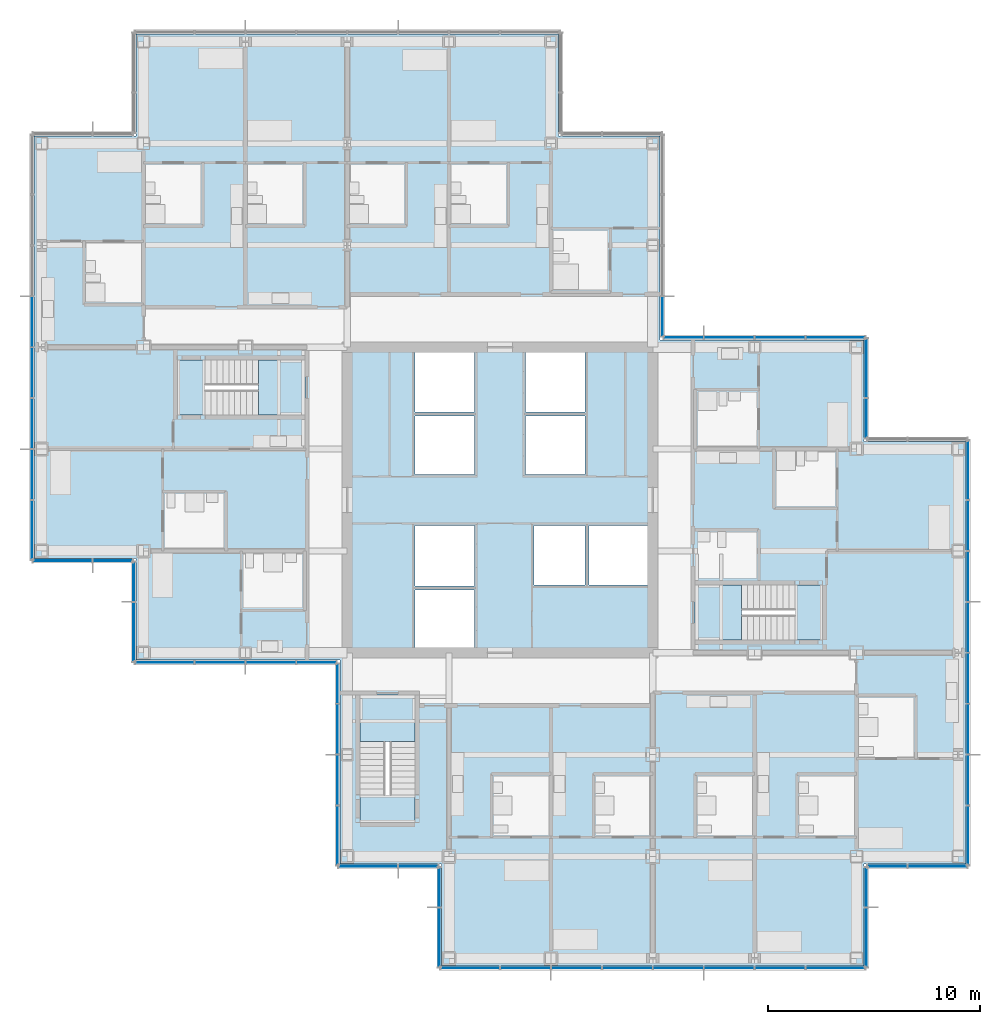
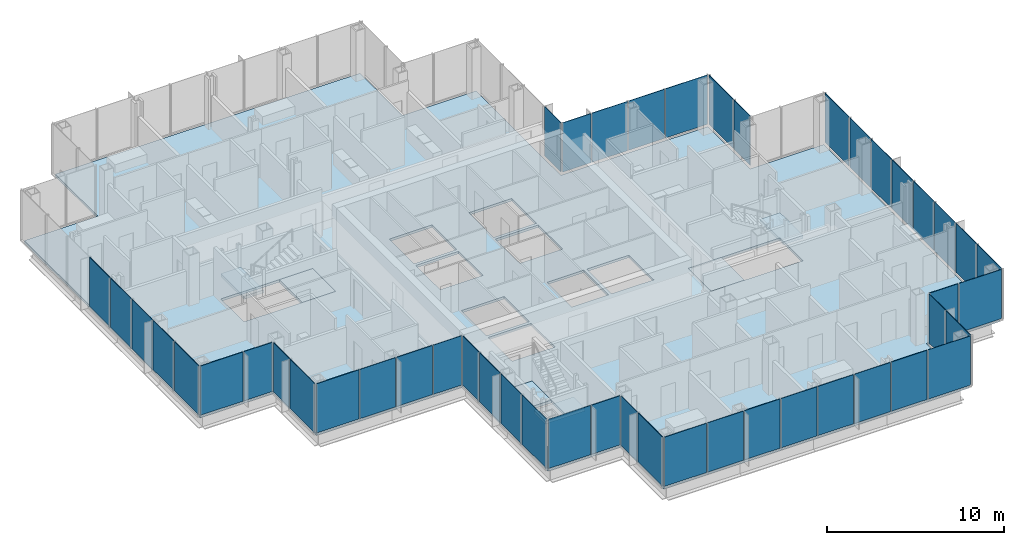
# One storey, part 11 of 19: 48 plates, 7 slabs, 17 elements without a shape of their own.
"""IFC4 building model written with IfcOpenShell, lengths in metres."""

from ifc_helpers import new_model, si_unit, direction, frame, origin, origin_2d, place, context, subcontext, project, spatial, polyline, rectangle, outline, extrude, material, layer, layer_set, type_object, element, aggregate, save


model = new_model("IFC4")

# Units and contexts
model_context = context("Model", 3, precision=1e-05, world=origin(), true_north=direction((0.0, 1.0)))
body_context = subcontext(model_context, "Body", "Model", "MODEL_VIEW")
ifc_project = project(units=[si_unit("LENGTHUNIT", "METRE"), si_unit("AREAUNIT", "SQUARE_METRE"), si_unit("VOLUMEUNIT", "CUBIC_METRE"), si_unit("PLANEANGLEUNIT", "RADIAN"), si_unit("MASSUNIT", "GRAM", prefix="KILO")], contexts=[model_context])

# Site, building, storey
site_placement = place(None, origin())
site = spatial("IfcSite", under=ifc_project, at=site_placement, CompositionType="ELEMENT")
building_placement = place(site_placement, origin())
building = spatial("IfcBuilding", under=site, at=building_placement, Name="Kvirike Care Tower", CompositionType="ELEMENT")
storey_placement = place(building_placement, frame((0.0, 0.0, 87.5)))
storey = spatial("IfcBuildingStorey", under=building, at=storey_placement, Name="L23", CompositionType="ELEMENT", Elevation=87.5)

# Slab
ifc_material_1 = material(Name="Concrete C35/45", Category="concrete")
ifc_layer_1 = layer(ifc_material_1, 0.169921875)
ifc_layer_set_1 = layer_set([ifc_layer_1], Name="FLOOR SLAB 170")
slab_type_1 = type_object("IfcSlabType", Name="FLOOR SLAB 170", PredefinedType="FLOOR", material=ifc_layer_set_1)
slab_1_placement = place(storey_placement, frame((0.0, 0.0, -0.169921875)))
element("IfcSlab", 1, at=slab_1_placement, inside=storey, type_object=slab_type_1, Name="Floor slab L23", PredefinedType="FLOOR", context=body_context, shape_type="SweptSolid", body=[
    extrude(outline(polyline([(43.550048828125, 18.85009765625), (43.550048828125, 38.75), (38.75, 38.75), (38.75, 43.550048828125), (29.14990234375, 43.550048828125), (29.14990234375, 53.14990234375), (24.35009765625, 53.14990234375), (24.35009765625, 57.949951171875), (4.449951171875, 57.949951171875), (4.449951171875, 53.14990234375), (-0.35009765625, 53.14990234375), (-0.35009765625, 33.25), (4.449951171875, 33.25), (4.449951171875, 28.449951171875), (14.050048828125, 28.449951171875), (14.050048828125, 18.85009765625), (18.85009765625, 18.85009765625), (18.85009765625, 14.050048828125), (38.75, 14.050048828125), (38.75, 18.85009765625), (43.550048828125, 18.85009765625)]), holes=[polyline([(17.60009765625, 29.050048828125), (17.60009765625, 31.75), (20.39990234375, 31.75), (20.39990234375, 29.050048828125), (17.60009765625, 29.050048828125)]), polyline([(17.60009765625, 31.949951171875), (17.60009765625, 34.800048828125), (20.39990234375, 34.800048828125), (20.39990234375, 31.949951171875), (17.60009765625, 31.949951171875)]), polyline([(17.60009765625, 37.199951171875), (17.60009765625, 39.949951171875), (20.39990234375, 39.949951171875), (20.39990234375, 37.199951171875), (17.60009765625, 37.199951171875)]), polyline([(17.60009765625, 40.14990234375), (17.60009765625, 42.949951171875), (20.39990234375, 42.949951171875), (20.39990234375, 40.14990234375), (17.60009765625, 40.14990234375)]), polyline([(22.800048828125, 37.199951171875), (22.800048828125, 39.949951171875), (25.60009765625, 39.949951171875), (25.60009765625, 37.199951171875), (22.800048828125, 37.199951171875)]), polyline([(22.800048828125, 40.14990234375), (22.800048828125, 42.949951171875), (25.60009765625, 42.949951171875), (25.60009765625, 40.14990234375), (22.800048828125, 40.14990234375)]), polyline([(23.199951171875, 32.0), (23.199951171875, 34.800048828125), (25.60009765625, 34.800048828125), (25.60009765625, 32.0), (23.199951171875, 32.0)]), polyline([(25.800048828125, 32.0), (25.800048828125, 34.800048828125), (28.550048828125, 34.800048828125), (28.550048828125, 32.0), (25.800048828125, 32.0)]), polyline([(12.39990234375, 42.60009765625), (12.39990234375, 40.0), (6.39990234375, 40.0), (6.39990234375, 42.60009765625), (12.39990234375, 42.60009765625)]), polyline([(30.800048828125, 29.39990234375), (30.800048828125, 32.0), (36.800048828125, 32.0), (36.800048828125, 29.39990234375), (30.800048828125, 29.39990234375)]), polyline([(15.0, 26.800048828125), (17.60009765625, 26.800048828125), (17.60009765625, 20.800048828125), (15.0, 20.800048828125), (15.0, 26.800048828125)])]), origin(), (0.0, 0.0, 1.0), 0.169921875),
])

# Stair, slabs
ifc_material_2 = material(Name="Concrete C35/45", Category="concrete")
stair_type = type_object("IfcStairType", Name="STAIR 20 RISERS", PredefinedType="HALF_TURN_STAIR", material=ifc_material_2)
stair_1_placement = place(storey_placement, origin())
stair_1 = element("IfcStair", 2, at=stair_1_placement, inside=storey, type_object=stair_type, Name="Stair 1 L23", PredefinedType="HALF_TURN_STAIR")
ifc_material_3 = material(Name="Concrete C35/45", Category="concrete")
ifc_layer_2 = layer(ifc_material_3, 0.199951171875)
ifc_layer_set_2 = layer_set([ifc_layer_2], Name="STAIR LANDING 200")
slab_type_2 = type_object("IfcSlabType", Name="STAIR LANDING 200", PredefinedType="LANDING", material=ifc_layer_set_2)
slab_2_placement = place(storey_placement, frame((0.0, 0.0, -0.199951171875)))
slab_2 = element("IfcSlab", 3, at=slab_2_placement, type_object=slab_type_2, Name="Stair S1 floor landing L23", PredefinedType="LANDING", context=body_context, shape_type="SweptSolid", body=[
    extrude(outline(polyline([(10.219970703125, 42.60009765625), (10.219970703125, 40.0), (12.39990234375, 40.0), (12.39990234375, 42.60009765625), (10.219970703125, 42.60009765625)])), origin(), (0.0, 0.0, 1.0), 0.199951171875),
])
slab_3_placement = place(storey_placement, frame((0.0, 0.0, 1.550048828125)))
slab_3 = element("IfcSlab", 4, at=slab_3_placement, type_object=slab_type_2, Name="Stair S1 half landing L23-L24", PredefinedType="LANDING", context=body_context, shape_type="SweptSolid", body=[
    extrude(outline(polyline([(6.39990234375, 42.60009765625), (6.39990234375, 40.0), (7.699951171875, 40.0), (7.699951171875, 42.60009765625), (6.39990234375, 42.60009765625)])), origin(), (0.0, 0.0, 1.0), 0.199951171875),
])
aggregate(stair_1, [slab_2, slab_3])

stair_2_placement = place(storey_placement, origin())
stair_2 = element("IfcStair", 5, at=stair_2_placement, inside=storey, type_object=stair_type, Name="Stair 2 L23", PredefinedType="HALF_TURN_STAIR")
slab_4_placement = place(storey_placement, frame((0.0, 0.0, -0.199951171875)))
slab_4 = element("IfcSlab", 6, at=slab_4_placement, type_object=slab_type_2, Name="Stair S2 floor landing L23", PredefinedType="LANDING", context=body_context, shape_type="SweptSolid", body=[
    extrude(outline(polyline([(32.97998046875, 29.39990234375), (32.97998046875, 32.0), (30.800048828125, 32.0), (30.800048828125, 29.39990234375), (32.97998046875, 29.39990234375)])), origin(), (0.0, 0.0, 1.0), 0.199951171875),
])
slab_5_placement = place(storey_placement, frame((0.0, 0.0, 1.550048828125)))
slab_5 = element("IfcSlab", 7, at=slab_5_placement, type_object=slab_type_2, Name="Stair S2 half landing L23-L24", PredefinedType="LANDING", context=body_context, shape_type="SweptSolid", body=[
    extrude(outline(polyline([(36.800048828125, 29.39990234375), (36.800048828125, 32.0), (35.5, 32.0), (35.5, 29.39990234375), (36.800048828125, 29.39990234375)])), origin(), (0.0, 0.0, 1.0), 0.199951171875),
])
aggregate(stair_2, [slab_4, slab_5])

stair_3_placement = place(storey_placement, origin())
stair_3 = element("IfcStair", 8, at=stair_3_placement, inside=storey, type_object=stair_type, Name="Stair 5 L23", PredefinedType="HALF_TURN_STAIR")
slab_6_placement = place(storey_placement, frame((0.0, 0.0, -0.199951171875)))
slab_6 = element("IfcSlab", 9, at=slab_6_placement, type_object=slab_type_2, Name="Stair S5 floor landing L23", PredefinedType="LANDING", context=body_context, shape_type="SweptSolid", body=[
    extrude(outline(polyline([(15.0, 24.6201171875), (17.60009765625, 24.6201171875), (17.60009765625, 26.800048828125), (15.0, 26.800048828125), (15.0, 24.6201171875)])), origin(), (0.0, 0.0, 1.0), 0.199951171875),
])
slab_7_placement = place(storey_placement, frame((0.0, 0.0, 1.550048828125)))
slab_7 = element("IfcSlab", 10, at=slab_7_placement, type_object=slab_type_2, Name="Stair S5 half landing L23-L24", PredefinedType="LANDING", context=body_context, shape_type="SweptSolid", body=[
    extrude(outline(polyline([(15.0, 20.800048828125), (17.60009765625, 20.800048828125), (17.60009765625, 22.10009765625), (15.0, 22.10009765625), (15.0, 20.800048828125)])), origin(), (0.0, 0.0, 1.0), 0.199951171875),
])
aggregate(stair_3, [slab_6, slab_7])

# Curtain wall, plates
ifc_material_4 = material(Name="Anodised aluminium stick system", Category="aluminium")
curtain_wall_type = type_object("IfcCurtainWallType", Name="CW-B STICK CURTAIN WALL", PredefinedType="NOTDEFINED", material=ifc_material_4)
curtain_wall_1_placement = place(storey_placement, origin())
curtain_wall_1 = element("IfcCurtainWall", 11, at=curtain_wall_1_placement, inside=storey, type_object=curtain_wall_type, Name="Curtain wall L23 face 1", PredefinedType="NOTDEFINED")
ifc_material_5 = material(Name="Tinted double glazed unit", Category="glass")
ifc_layer_3 = layer(ifc_material_5, 0.035888671875)
ifc_layer_set_3 = layer_set([ifc_layer_3], Name="TINTED VISION PANEL 36")
plate_type = type_object("IfcPlateType", Name="TINTED VISION PANEL 36", PredefinedType="CURTAIN_PANEL", material=ifc_layer_set_3)
plate_1_placement = place(storey_placement, frame((43.659912109375, 20.186279296875, 0.10009765625), z_axis=(0.0, 0.0, 1.0), x_axis=(0.0, 1.0, 0.0)))
plate_1 = element("IfcPlate", 12, at=plate_1_placement, type_object=plate_type, Name="CW-B panel L23 face 1.1", PredefinedType="CURTAIN_PANEL", context=body_context, shape_type="SweptSolid", body=[
    extrude(rectangle(XDim=2.762451171875, YDim=0.035888671875, at=origin_2d()), origin(), (0.0, 0.0, 1.0), 3.39990234375),
])
plate_2_placement = place(storey_placement, frame((43.659912109375, 22.800048828125, 0.10009765625), z_axis=(0.0, 0.0, 1.0), x_axis=(0.0, 1.0, 0.0)))
plate_2 = element("IfcPlate", 13, at=plate_2_placement, type_object=plate_type, Name="CW-B panel L23 face 1.2", PredefinedType="CURTAIN_PANEL", context=body_context, shape_type="SweptSolid", body=[
    extrude(rectangle(XDim=2.3349609375, YDim=0.035888671875, at=origin_2d()), origin(), (0.0, 0.0, 1.0), 3.39990234375),
])
plate_3_placement = place(storey_placement, frame((43.659912109375, 25.199951171875, 0.10009765625), z_axis=(0.0, 0.0, 1.0), x_axis=(0.0, 1.0, 0.0)))
plate_3 = element("IfcPlate", 14, at=plate_3_placement, type_object=plate_type, Name="CW-B panel L23 face 1.3", PredefinedType="CURTAIN_PANEL", context=body_context, shape_type="SweptSolid", body=[
    extrude(rectangle(XDim=2.3349609375, YDim=0.035888671875, at=origin_2d()), origin(), (0.0, 0.0, 1.0), 3.39990234375),
])
plate_4_placement = place(storey_placement, frame((43.659912109375, 27.60009765625, 0.10009765625), z_axis=(0.0, 0.0, 1.0), x_axis=(0.0, 1.0, 0.0)))
plate_4 = element("IfcPlate", 15, at=plate_4_placement, type_object=plate_type, Name="CW-B panel L23 face 1.4", PredefinedType="CURTAIN_PANEL", context=body_context, shape_type="SweptSolid", body=[
    extrude(rectangle(XDim=2.3349609375, YDim=0.035888671875, at=origin_2d()), origin(), (0.0, 0.0, 1.0), 3.39990234375),
])
plate_5_placement = place(storey_placement, frame((43.659912109375, 30.0, 0.10009765625), z_axis=(0.0, 0.0, 1.0), x_axis=(0.0, 1.0, 0.0)))
plate_5 = element("IfcPlate", 16, at=plate_5_placement, type_object=plate_type, Name="CW-B panel L23 face 1.5", PredefinedType="CURTAIN_PANEL", context=body_context, shape_type="SweptSolid", body=[
    extrude(rectangle(XDim=2.3349609375, YDim=0.035888671875, at=origin_2d()), origin(), (0.0, 0.0, 1.0), 3.39990234375),
])
plate_6_placement = place(storey_placement, frame((43.659912109375, 32.39990234375, 0.10009765625), z_axis=(0.0, 0.0, 1.0), x_axis=(0.0, 1.0, 0.0)))
plate_6 = element("IfcPlate", 17, at=plate_6_placement, type_object=plate_type, Name="CW-B panel L23 face 1.6", PredefinedType="CURTAIN_PANEL", context=body_context, shape_type="SweptSolid", body=[
    extrude(rectangle(XDim=2.3349609375, YDim=0.035888671875, at=origin_2d()), origin(), (0.0, 0.0, 1.0), 3.39990234375),
])
plate_7_placement = place(storey_placement, frame((43.659912109375, 34.800048828125, 0.10009765625), z_axis=(0.0, 0.0, 1.0), x_axis=(0.0, 1.0, 0.0)))
plate_7 = element("IfcPlate", 18, at=plate_7_placement, type_object=plate_type, Name="CW-B panel L23 face 1.7", PredefinedType="CURTAIN_PANEL", context=body_context, shape_type="SweptSolid", body=[
    extrude(rectangle(XDim=2.3349609375, YDim=0.035888671875, at=origin_2d()), origin(), (0.0, 0.0, 1.0), 3.39990234375),
])
plate_8_placement = place(storey_placement, frame((43.659912109375, 37.413818359375, 0.10009765625), z_axis=(0.0, 0.0, 1.0), x_axis=(0.0, 1.0, 0.0)))
plate_8 = element("IfcPlate", 19, at=plate_8_placement, type_object=plate_type, Name="CW-B panel L23 face 1.8", PredefinedType="CURTAIN_PANEL", context=body_context, shape_type="SweptSolid", body=[
    extrude(rectangle(XDim=2.762451171875, YDim=0.035888671875, at=origin_2d()), origin(), (0.0, 0.0, 1.0), 3.39990234375),
])
aggregate(curtain_wall_1, [plate_1, plate_2, plate_3, plate_4, plate_5, plate_6, plate_7, plate_8])

curtain_wall_2_placement = place(storey_placement, origin())
curtain_wall_2 = element("IfcCurtainWall", 20, at=curtain_wall_2_placement, inside=storey, type_object=curtain_wall_type, Name="Curtain wall L23 face 3", PredefinedType="NOTDEFINED")
plate_9_placement = place(storey_placement, frame((38.860107421875, 39.84619140625, 0.10009765625), z_axis=(0.0, 0.0, 1.0), x_axis=(0.0, 1.0, 0.0)))
plate_9 = element("IfcPlate", 21, at=plate_9_placement, type_object=plate_type, Name="CW-B panel L23 face 3.1", PredefinedType="CURTAIN_PANEL", context=body_context, shape_type="SweptSolid", body=[
    extrude(rectangle(XDim=1.842529296875, YDim=0.035888671875, at=origin_2d()), origin(), (0.0, 0.0, 1.0), 3.39990234375),
])
plate_10_placement = place(storey_placement, frame((38.860107421875, 42.2138671875, 0.10009765625), z_axis=(0.0, 0.0, 1.0), x_axis=(0.0, 1.0, 0.0)))
plate_10 = element("IfcPlate", 22, at=plate_10_placement, type_object=plate_type, Name="CW-B panel L23 face 3.2", PredefinedType="CURTAIN_PANEL", context=body_context, shape_type="SweptSolid", body=[
    extrude(rectangle(XDim=2.762451171875, YDim=0.035888671875, at=origin_2d()), origin(), (0.0, 0.0, 1.0), 3.39990234375),
])
aggregate(curtain_wall_2, [plate_9, plate_10])

curtain_wall_3_placement = place(storey_placement, origin())
curtain_wall_3 = element("IfcCurtainWall", 23, at=curtain_wall_3_placement, inside=storey, type_object=curtain_wall_type, Name="Curtain wall L23 face 4", PredefinedType="NOTDEFINED")
plate_11_placement = place(storey_placement, frame((37.413818359375, 43.659912109375, 0.10009765625), z_axis=(0.0, 0.0, 1.0), x_axis=(-1.0, 0.0, 0.0)))
plate_11 = element("IfcPlate", 24, at=plate_11_placement, type_object=plate_type, Name="CW-B panel L23 face 4.1", PredefinedType="CURTAIN_PANEL", context=body_context, shape_type="SweptSolid", body=[
    extrude(rectangle(XDim=2.762451171875, YDim=0.035888671875, at=origin_2d()), origin(), (0.0, 0.0, 1.0), 3.39990234375),
])
plate_12_placement = place(storey_placement, frame((34.800048828125, 43.659912109375, 0.10009765625), z_axis=(0.0, 0.0, 1.0), x_axis=(-1.0, 0.0, 0.0)))
plate_12 = element("IfcPlate", 25, at=plate_12_placement, type_object=plate_type, Name="CW-B panel L23 face 4.2", PredefinedType="CURTAIN_PANEL", context=body_context, shape_type="SweptSolid", body=[
    extrude(rectangle(XDim=2.3349609375, YDim=0.035888671875, at=origin_2d()), origin(), (0.0, 0.0, 1.0), 3.39990234375),
])
plate_13_placement = place(storey_placement, frame((32.39990234375, 43.659912109375, 0.10009765625), z_axis=(0.0, 0.0, 1.0), x_axis=(-1.0, 0.0, 0.0)))
plate_13 = element("IfcPlate", 26, at=plate_13_placement, type_object=plate_type, Name="CW-B panel L23 face 4.3", PredefinedType="CURTAIN_PANEL", context=body_context, shape_type="SweptSolid", body=[
    extrude(rectangle(XDim=2.3349609375, YDim=0.035888671875, at=origin_2d()), origin(), (0.0, 0.0, 1.0), 3.39990234375),
])
plate_14_placement = place(storey_placement, frame((30.246337890625, 43.659912109375, 0.10009765625), z_axis=(0.0, 0.0, 1.0), x_axis=(-1.0, 0.0, 0.0)))
plate_14 = element("IfcPlate", 27, at=plate_14_placement, type_object=plate_type, Name="CW-B panel L23 face 4.4", PredefinedType="CURTAIN_PANEL", context=body_context, shape_type="SweptSolid", body=[
    extrude(rectangle(XDim=1.842529296875, YDim=0.035888671875, at=origin_2d()), origin(), (0.0, 0.0, 1.0), 3.39990234375),
])
aggregate(curtain_wall_3, [plate_11, plate_12, plate_13, plate_14])

# Curtain wall, plate
curtain_wall_4_placement = place(storey_placement, origin())
curtain_wall_4 = element("IfcCurtainWall", 28, at=curtain_wall_4_placement, inside=storey, type_object=curtain_wall_type, Name="Curtain wall L23 face 5", PredefinedType="NOTDEFINED")
plate_15_placement = place(storey_placement, frame((29.260009765625, 44.646240234375, 0.10009765625), z_axis=(0.0, 0.0, 1.0), x_axis=(0.0, 1.0, 0.0)))
plate_15 = element("IfcPlate", 29, at=plate_15_placement, type_object=plate_type, Name="CW-B panel L23 face 5.1", PredefinedType="CURTAIN_PANEL", context=body_context, shape_type="SweptSolid", body=[
    extrude(rectangle(XDim=1.842529296875, YDim=0.035888671875, at=origin_2d()), origin(), (0.0, 0.0, 1.0), 3.39990234375),
])
aggregate(curtain_wall_4, [plate_15])

# Curtain wall, plates
curtain_wall_5_placement = place(storey_placement, origin())
curtain_wall_5 = element("IfcCurtainWall", 30, at=curtain_wall_5_placement, inside=storey, type_object=curtain_wall_type, Name="Curtain wall L23 face 11", PredefinedType="NOTDEFINED")
plate_16_placement = place(storey_placement, frame((-0.4599609375, 44.39990234375, 0.10009765625), z_axis=(0.0, 0.0, 1.0), x_axis=(0.0, -1.0, 0.0)))
plate_16 = element("IfcPlate", 31, at=plate_16_placement, type_object=plate_type, Name="CW-B panel L23 face 11.4", PredefinedType="CURTAIN_PANEL", context=body_context, shape_type="SweptSolid", body=[
    extrude(rectangle(XDim=2.3349609375, YDim=0.035888671875, at=origin_2d()), origin(), (0.0, 0.0, 1.0), 3.39990234375),
])
plate_17_placement = place(storey_placement, frame((-0.4599609375, 42.0, 0.10009765625), z_axis=(0.0, 0.0, 1.0), x_axis=(0.0, -1.0, 0.0)))
plate_17 = element("IfcPlate", 32, at=plate_17_placement, type_object=plate_type, Name="CW-B panel L23 face 11.5", PredefinedType="CURTAIN_PANEL", context=body_context, shape_type="SweptSolid", body=[
    extrude(rectangle(XDim=2.3349609375, YDim=0.035888671875, at=origin_2d()), origin(), (0.0, 0.0, 1.0), 3.39990234375),
])
plate_18_placement = place(storey_placement, frame((-0.4599609375, 39.60009765625, 0.10009765625), z_axis=(0.0, 0.0, 1.0), x_axis=(0.0, -1.0, 0.0)))
plate_18 = element("IfcPlate", 33, at=plate_18_placement, type_object=plate_type, Name="CW-B panel L23 face 11.6", PredefinedType="CURTAIN_PANEL", context=body_context, shape_type="SweptSolid", body=[
    extrude(rectangle(XDim=2.3349609375, YDim=0.035888671875, at=origin_2d()), origin(), (0.0, 0.0, 1.0), 3.39990234375),
])
plate_19_placement = place(storey_placement, frame((-0.4599609375, 37.199951171875, 0.10009765625), z_axis=(0.0, 0.0, 1.0), x_axis=(0.0, -1.0, 0.0)))
plate_19 = element("IfcPlate", 34, at=plate_19_placement, type_object=plate_type, Name="CW-B panel L23 face 11.7", PredefinedType="CURTAIN_PANEL", context=body_context, shape_type="SweptSolid", body=[
    extrude(rectangle(XDim=2.3349609375, YDim=0.035888671875, at=origin_2d()), origin(), (0.0, 0.0, 1.0), 3.39990234375),
])
plate_20_placement = place(storey_placement, frame((-0.4599609375, 34.586181640625, 0.10009765625), z_axis=(0.0, 0.0, 1.0), x_axis=(0.0, -1.0, 0.0)))
plate_20 = element("IfcPlate", 35, at=plate_20_placement, type_object=plate_type, Name="CW-B panel L23 face 11.8", PredefinedType="CURTAIN_PANEL", context=body_context, shape_type="SweptSolid", body=[
    extrude(rectangle(XDim=2.762451171875, YDim=0.035888671875, at=origin_2d()), origin(), (0.0, 0.0, 1.0), 3.39990234375),
])
aggregate(curtain_wall_5, [plate_16, plate_17, plate_18, plate_19, plate_20])

curtain_wall_6_placement = place(storey_placement, origin())
curtain_wall_6 = element("IfcCurtainWall", 36, at=curtain_wall_6_placement, inside=storey, type_object=curtain_wall_type, Name="Curtain wall L23 face 12", PredefinedType="NOTDEFINED")
plate_21_placement = place(storey_placement, frame((0.986328125, 33.139892578125, 0.10009765625), z_axis=(0.0, 0.0, 1.0), x_axis=(1.0, 0.0, 0.0)))
plate_21 = element("IfcPlate", 37, at=plate_21_placement, type_object=plate_type, Name="CW-B panel L23 face 12.1", PredefinedType="CURTAIN_PANEL", context=body_context, shape_type="SweptSolid", body=[
    extrude(rectangle(XDim=2.762451171875, YDim=0.035888671875, at=origin_2d()), origin(), (0.0, 0.0, 1.0), 3.39990234375),
])
plate_22_placement = place(storey_placement, frame((3.353759765625, 33.139892578125, 0.10009765625), z_axis=(0.0, 0.0, 1.0), x_axis=(1.0, 0.0, 0.0)))
plate_22 = element("IfcPlate", 38, at=plate_22_placement, type_object=plate_type, Name="CW-B panel L23 face 12.2", PredefinedType="CURTAIN_PANEL", context=body_context, shape_type="SweptSolid", body=[
    extrude(rectangle(XDim=1.842529296875, YDim=0.035888671875, at=origin_2d()), origin(), (0.0, 0.0, 1.0), 3.39990234375),
])
aggregate(curtain_wall_6, [plate_21, plate_22])

curtain_wall_7_placement = place(storey_placement, origin())
curtain_wall_7 = element("IfcCurtainWall", 39, at=curtain_wall_7_placement, inside=storey, type_object=curtain_wall_type, Name="Curtain wall L23 face 13", PredefinedType="NOTDEFINED")
plate_23_placement = place(storey_placement, frame((4.340087890625, 32.15380859375, 0.10009765625), z_axis=(0.0, 0.0, 1.0), x_axis=(0.0, -1.0, 0.0)))
plate_23 = element("IfcPlate", 40, at=plate_23_placement, type_object=plate_type, Name="CW-B panel L23 face 13.1", PredefinedType="CURTAIN_PANEL", context=body_context, shape_type="SweptSolid", body=[
    extrude(rectangle(XDim=1.842529296875, YDim=0.035888671875, at=origin_2d()), origin(), (0.0, 0.0, 1.0), 3.39990234375),
])
plate_24_placement = place(storey_placement, frame((4.340087890625, 29.7861328125, 0.10009765625), z_axis=(0.0, 0.0, 1.0), x_axis=(0.0, -1.0, 0.0)))
plate_24 = element("IfcPlate", 41, at=plate_24_placement, type_object=plate_type, Name="CW-B panel L23 face 13.2", PredefinedType="CURTAIN_PANEL", context=body_context, shape_type="SweptSolid", body=[
    extrude(rectangle(XDim=2.762451171875, YDim=0.035888671875, at=origin_2d()), origin(), (0.0, 0.0, 1.0), 3.39990234375),
])
aggregate(curtain_wall_7, [plate_23, plate_24])

curtain_wall_8_placement = place(storey_placement, origin())
curtain_wall_8 = element("IfcCurtainWall", 42, at=curtain_wall_8_placement, inside=storey, type_object=curtain_wall_type, Name="Curtain wall L23 face 14", PredefinedType="NOTDEFINED")
plate_25_placement = place(storey_placement, frame((5.7861328125, 28.340087890625, 0.10009765625), z_axis=(0.0, 0.0, 1.0), x_axis=(1.0, 0.0, 0.0)))
plate_25 = element("IfcPlate", 43, at=plate_25_placement, type_object=plate_type, Name="CW-B panel L23 face 14.1", PredefinedType="CURTAIN_PANEL", context=body_context, shape_type="SweptSolid", body=[
    extrude(rectangle(XDim=2.762451171875, YDim=0.035888671875, at=origin_2d()), origin(), (0.0, 0.0, 1.0), 3.39990234375),
])
plate_26_placement = place(storey_placement, frame((8.39990234375, 28.340087890625, 0.10009765625), z_axis=(0.0, 0.0, 1.0), x_axis=(1.0, 0.0, 0.0)))
plate_26 = element("IfcPlate", 44, at=plate_26_placement, type_object=plate_type, Name="CW-B panel L23 face 14.2", PredefinedType="CURTAIN_PANEL", context=body_context, shape_type="SweptSolid", body=[
    extrude(rectangle(XDim=2.3349609375, YDim=0.035888671875, at=origin_2d()), origin(), (0.0, 0.0, 1.0), 3.39990234375),
])
plate_27_placement = place(storey_placement, frame((10.800048828125, 28.340087890625, 0.10009765625), z_axis=(0.0, 0.0, 1.0), x_axis=(1.0, 0.0, 0.0)))
plate_27 = element("IfcPlate", 45, at=plate_27_placement, type_object=plate_type, Name="CW-B panel L23 face 14.3", PredefinedType="CURTAIN_PANEL", context=body_context, shape_type="SweptSolid", body=[
    extrude(rectangle(XDim=2.3349609375, YDim=0.035888671875, at=origin_2d()), origin(), (0.0, 0.0, 1.0), 3.39990234375),
])
plate_28_placement = place(storey_placement, frame((12.953857421875, 28.340087890625, 0.10009765625), z_axis=(0.0, 0.0, 1.0), x_axis=(1.0, 0.0, 0.0)))
plate_28 = element("IfcPlate", 46, at=plate_28_placement, type_object=plate_type, Name="CW-B panel L23 face 14.4", PredefinedType="CURTAIN_PANEL", context=body_context, shape_type="SweptSolid", body=[
    extrude(rectangle(XDim=1.842529296875, YDim=0.035888671875, at=origin_2d()), origin(), (0.0, 0.0, 1.0), 3.39990234375),
])
aggregate(curtain_wall_8, [plate_25, plate_26, plate_27, plate_28])

curtain_wall_9_placement = place(storey_placement, origin())
curtain_wall_9 = element("IfcCurtainWall", 47, at=curtain_wall_9_placement, inside=storey, type_object=curtain_wall_type, Name="Curtain wall L23 face 15", PredefinedType="NOTDEFINED")
plate_29_placement = place(storey_placement, frame((13.93994140625, 27.353759765625, 0.10009765625), z_axis=(0.0, 0.0, 1.0), x_axis=(0.0, -1.0, 0.0)))
plate_29 = element("IfcPlate", 48, at=plate_29_placement, type_object=plate_type, Name="CW-B panel L23 face 15.1", PredefinedType="CURTAIN_PANEL", context=body_context, shape_type="SweptSolid", body=[
    extrude(rectangle(XDim=1.842529296875, YDim=0.035888671875, at=origin_2d()), origin(), (0.0, 0.0, 1.0), 3.39990234375),
])
plate_30_placement = place(storey_placement, frame((13.93994140625, 25.199951171875, 0.10009765625), z_axis=(0.0, 0.0, 1.0), x_axis=(0.0, -1.0, 0.0)))
plate_30 = element("IfcPlate", 49, at=plate_30_placement, type_object=plate_type, Name="CW-B panel L23 face 15.2", PredefinedType="CURTAIN_PANEL", context=body_context, shape_type="SweptSolid", body=[
    extrude(rectangle(XDim=2.3349609375, YDim=0.035888671875, at=origin_2d()), origin(), (0.0, 0.0, 1.0), 3.39990234375),
])
plate_31_placement = place(storey_placement, frame((13.93994140625, 22.800048828125, 0.10009765625), z_axis=(0.0, 0.0, 1.0), x_axis=(0.0, -1.0, 0.0)))
plate_31 = element("IfcPlate", 50, at=plate_31_placement, type_object=plate_type, Name="CW-B panel L23 face 15.3", PredefinedType="CURTAIN_PANEL", context=body_context, shape_type="SweptSolid", body=[
    extrude(rectangle(XDim=2.3349609375, YDim=0.035888671875, at=origin_2d()), origin(), (0.0, 0.0, 1.0), 3.39990234375),
])
plate_32_placement = place(storey_placement, frame((13.93994140625, 20.186279296875, 0.10009765625), z_axis=(0.0, 0.0, 1.0), x_axis=(0.0, -1.0, 0.0)))
plate_32 = element("IfcPlate", 51, at=plate_32_placement, type_object=plate_type, Name="CW-B panel L23 face 15.4", PredefinedType="CURTAIN_PANEL", context=body_context, shape_type="SweptSolid", body=[
    extrude(rectangle(XDim=2.762451171875, YDim=0.035888671875, at=origin_2d()), origin(), (0.0, 0.0, 1.0), 3.39990234375),
])
aggregate(curtain_wall_9, [plate_29, plate_30, plate_31, plate_32])

curtain_wall_10_placement = place(storey_placement, origin())
curtain_wall_10 = element("IfcCurtainWall", 52, at=curtain_wall_10_placement, inside=storey, type_object=curtain_wall_type, Name="Curtain wall L23 face 16", PredefinedType="NOTDEFINED")
plate_33_placement = place(storey_placement, frame((15.38623046875, 18.739990234375, 0.10009765625), z_axis=(0.0, 0.0, 1.0), x_axis=(1.0, 0.0, 0.0)))
plate_33 = element("IfcPlate", 53, at=plate_33_placement, type_object=plate_type, Name="CW-B panel L23 face 16.1", PredefinedType="CURTAIN_PANEL", context=body_context, shape_type="SweptSolid", body=[
    extrude(rectangle(XDim=2.762451171875, YDim=0.035888671875, at=origin_2d()), origin(), (0.0, 0.0, 1.0), 3.39990234375),
])
plate_34_placement = place(storey_placement, frame((17.753662109375, 18.739990234375, 0.10009765625), z_axis=(0.0, 0.0, 1.0), x_axis=(1.0, 0.0, 0.0)))
plate_34 = element("IfcPlate", 54, at=plate_34_placement, type_object=plate_type, Name="CW-B panel L23 face 16.2", PredefinedType="CURTAIN_PANEL", context=body_context, shape_type="SweptSolid", body=[
    extrude(rectangle(XDim=1.842529296875, YDim=0.035888671875, at=origin_2d()), origin(), (0.0, 0.0, 1.0), 3.39990234375),
])
aggregate(curtain_wall_10, [plate_33, plate_34])

curtain_wall_11_placement = place(storey_placement, origin())
curtain_wall_11 = element("IfcCurtainWall", 55, at=curtain_wall_11_placement, inside=storey, type_object=curtain_wall_type, Name="Curtain wall L23 face 17", PredefinedType="NOTDEFINED")
plate_35_placement = place(storey_placement, frame((18.739990234375, 17.753662109375, 0.10009765625), z_axis=(0.0, 0.0, 1.0), x_axis=(0.0, -1.0, 0.0)))
plate_35 = element("IfcPlate", 56, at=plate_35_placement, type_object=plate_type, Name="CW-B panel L23 face 17.1", PredefinedType="CURTAIN_PANEL", context=body_context, shape_type="SweptSolid", body=[
    extrude(rectangle(XDim=1.842529296875, YDim=0.035888671875, at=origin_2d()), origin(), (0.0, 0.0, 1.0), 3.39990234375),
])
plate_36_placement = place(storey_placement, frame((18.739990234375, 15.38623046875, 0.10009765625), z_axis=(0.0, 0.0, 1.0), x_axis=(0.0, -1.0, 0.0)))
plate_36 = element("IfcPlate", 57, at=plate_36_placement, type_object=plate_type, Name="CW-B panel L23 face 17.2", PredefinedType="CURTAIN_PANEL", context=body_context, shape_type="SweptSolid", body=[
    extrude(rectangle(XDim=2.762451171875, YDim=0.035888671875, at=origin_2d()), origin(), (0.0, 0.0, 1.0), 3.39990234375),
])
aggregate(curtain_wall_11, [plate_35, plate_36])

curtain_wall_12_placement = place(storey_placement, origin())
curtain_wall_12 = element("IfcCurtainWall", 58, at=curtain_wall_12_placement, inside=storey, type_object=curtain_wall_type, Name="Curtain wall L23 face 18", PredefinedType="NOTDEFINED")
plate_37_placement = place(storey_placement, frame((20.186279296875, 13.93994140625, 0.10009765625), z_axis=(0.0, 0.0, 1.0), x_axis=(1.0, 0.0, 0.0)))
plate_37 = element("IfcPlate", 59, at=plate_37_placement, type_object=plate_type, Name="CW-B panel L23 face 18.1", PredefinedType="CURTAIN_PANEL", context=body_context, shape_type="SweptSolid", body=[
    extrude(rectangle(XDim=2.762451171875, YDim=0.035888671875, at=origin_2d()), origin(), (0.0, 0.0, 1.0), 3.39990234375),
])
plate_38_placement = place(storey_placement, frame((22.800048828125, 13.93994140625, 0.10009765625), z_axis=(0.0, 0.0, 1.0), x_axis=(1.0, 0.0, 0.0)))
plate_38 = element("IfcPlate", 60, at=plate_38_placement, type_object=plate_type, Name="CW-B panel L23 face 18.2", PredefinedType="CURTAIN_PANEL", context=body_context, shape_type="SweptSolid", body=[
    extrude(rectangle(XDim=2.3349609375, YDim=0.035888671875, at=origin_2d()), origin(), (0.0, 0.0, 1.0), 3.39990234375),
])
plate_39_placement = place(storey_placement, frame((25.199951171875, 13.93994140625, 0.10009765625), z_axis=(0.0, 0.0, 1.0), x_axis=(1.0, 0.0, 0.0)))
plate_39 = element("IfcPlate", 61, at=plate_39_placement, type_object=plate_type, Name="CW-B panel L23 face 18.3", PredefinedType="CURTAIN_PANEL", context=body_context, shape_type="SweptSolid", body=[
    extrude(rectangle(XDim=2.3349609375, YDim=0.035888671875, at=origin_2d()), origin(), (0.0, 0.0, 1.0), 3.39990234375),
])
plate_40_placement = place(storey_placement, frame((27.60009765625, 13.93994140625, 0.10009765625), z_axis=(0.0, 0.0, 1.0), x_axis=(1.0, 0.0, 0.0)))
plate_40 = element("IfcPlate", 62, at=plate_40_placement, type_object=plate_type, Name="CW-B panel L23 face 18.4", PredefinedType="CURTAIN_PANEL", context=body_context, shape_type="SweptSolid", body=[
    extrude(rectangle(XDim=2.3349609375, YDim=0.035888671875, at=origin_2d()), origin(), (0.0, 0.0, 1.0), 3.39990234375),
])
plate_41_placement = place(storey_placement, frame((30.0, 13.93994140625, 0.10009765625), z_axis=(0.0, 0.0, 1.0), x_axis=(1.0, 0.0, 0.0)))
plate_41 = element("IfcPlate", 63, at=plate_41_placement, type_object=plate_type, Name="CW-B panel L23 face 18.5", PredefinedType="CURTAIN_PANEL", context=body_context, shape_type="SweptSolid", body=[
    extrude(rectangle(XDim=2.3349609375, YDim=0.035888671875, at=origin_2d()), origin(), (0.0, 0.0, 1.0), 3.39990234375),
])
plate_42_placement = place(storey_placement, frame((32.39990234375, 13.93994140625, 0.10009765625), z_axis=(0.0, 0.0, 1.0), x_axis=(1.0, 0.0, 0.0)))
plate_42 = element("IfcPlate", 64, at=plate_42_placement, type_object=plate_type, Name="CW-B panel L23 face 18.6", PredefinedType="CURTAIN_PANEL", context=body_context, shape_type="SweptSolid", body=[
    extrude(rectangle(XDim=2.3349609375, YDim=0.035888671875, at=origin_2d()), origin(), (0.0, 0.0, 1.0), 3.39990234375),
])
plate_43_placement = place(storey_placement, frame((34.800048828125, 13.93994140625, 0.10009765625), z_axis=(0.0, 0.0, 1.0), x_axis=(1.0, 0.0, 0.0)))
plate_43 = element("IfcPlate", 65, at=plate_43_placement, type_object=plate_type, Name="CW-B panel L23 face 18.7", PredefinedType="CURTAIN_PANEL", context=body_context, shape_type="SweptSolid", body=[
    extrude(rectangle(XDim=2.3349609375, YDim=0.035888671875, at=origin_2d()), origin(), (0.0, 0.0, 1.0), 3.39990234375),
])
plate_44_placement = place(storey_placement, frame((37.413818359375, 13.93994140625, 0.10009765625), z_axis=(0.0, 0.0, 1.0), x_axis=(1.0, 0.0, 0.0)))
plate_44 = element("IfcPlate", 66, at=plate_44_placement, type_object=plate_type, Name="CW-B panel L23 face 18.8", PredefinedType="CURTAIN_PANEL", context=body_context, shape_type="SweptSolid", body=[
    extrude(rectangle(XDim=2.762451171875, YDim=0.035888671875, at=origin_2d()), origin(), (0.0, 0.0, 1.0), 3.39990234375),
])
aggregate(curtain_wall_12, [plate_37, plate_38, plate_39, plate_40, plate_41, plate_42, plate_43, plate_44])

curtain_wall_13_placement = place(storey_placement, origin())
curtain_wall_13 = element("IfcCurtainWall", 67, at=curtain_wall_13_placement, inside=storey, type_object=curtain_wall_type, Name="Curtain wall L23 face 19", PredefinedType="NOTDEFINED")
plate_45_placement = place(storey_placement, frame((38.860107421875, 15.38623046875, 0.10009765625), z_axis=(0.0, 0.0, 1.0), x_axis=(0.0, 1.0, 0.0)))
plate_45 = element("IfcPlate", 68, at=plate_45_placement, type_object=plate_type, Name="CW-B panel L23 face 19.1", PredefinedType="CURTAIN_PANEL", context=body_context, shape_type="SweptSolid", body=[
    extrude(rectangle(XDim=2.762451171875, YDim=0.035888671875, at=origin_2d()), origin(), (0.0, 0.0, 1.0), 3.39990234375),
])
plate_46_placement = place(storey_placement, frame((38.860107421875, 17.753662109375, 0.10009765625), z_axis=(0.0, 0.0, 1.0), x_axis=(0.0, 1.0, 0.0)))
plate_46 = element("IfcPlate", 69, at=plate_46_placement, type_object=plate_type, Name="CW-B panel L23 face 19.2", PredefinedType="CURTAIN_PANEL", context=body_context, shape_type="SweptSolid", body=[
    extrude(rectangle(XDim=1.842529296875, YDim=0.035888671875, at=origin_2d()), origin(), (0.0, 0.0, 1.0), 3.39990234375),
])
aggregate(curtain_wall_13, [plate_45, plate_46])

curtain_wall_14_placement = place(storey_placement, origin())
curtain_wall_14 = element("IfcCurtainWall", 70, at=curtain_wall_14_placement, inside=storey, type_object=curtain_wall_type, Name="Curtain wall L23 face 20", PredefinedType="NOTDEFINED")
plate_47_placement = place(storey_placement, frame((39.84619140625, 18.739990234375, 0.10009765625), z_axis=(0.0, 0.0, 1.0), x_axis=(1.0, 0.0, 0.0)))
plate_47 = element("IfcPlate", 71, at=plate_47_placement, type_object=plate_type, Name="CW-B panel L23 face 20.1", PredefinedType="CURTAIN_PANEL", context=body_context, shape_type="SweptSolid", body=[
    extrude(rectangle(XDim=1.842529296875, YDim=0.035888671875, at=origin_2d()), origin(), (0.0, 0.0, 1.0), 3.39990234375),
])
plate_48_placement = place(storey_placement, frame((42.2138671875, 18.739990234375, 0.10009765625), z_axis=(0.0, 0.0, 1.0), x_axis=(1.0, 0.0, 0.0)))
plate_48 = element("IfcPlate", 72, at=plate_48_placement, type_object=plate_type, Name="CW-B panel L23 face 20.2", PredefinedType="CURTAIN_PANEL", context=body_context, shape_type="SweptSolid", body=[
    extrude(rectangle(XDim=2.762451171875, YDim=0.035888671875, at=origin_2d()), origin(), (0.0, 0.0, 1.0), 3.39990234375),
])
aggregate(curtain_wall_14, [plate_47, plate_48])

save(model, "model.ifc")
